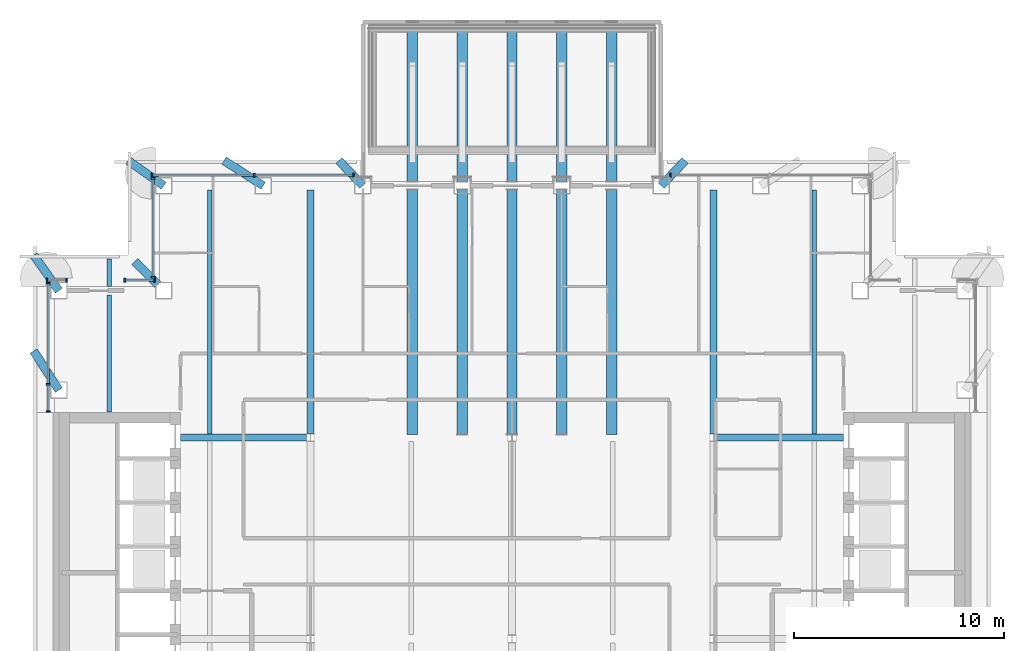
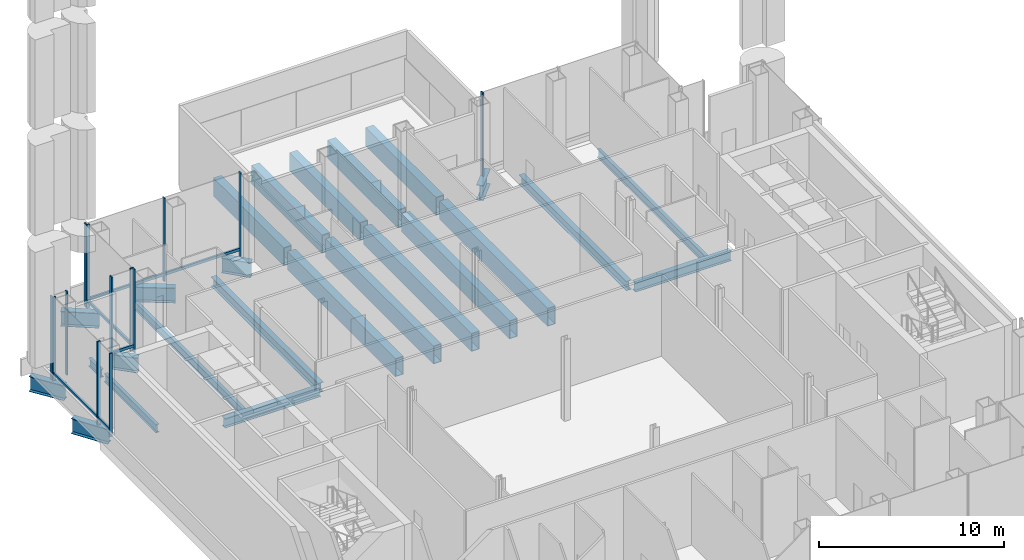
# One storey, part 5 of 22: 25 beams, 19 members, 6 elements without a shape of their own.
"""IFC4 building model written with IfcOpenShell, lengths in metres."""

from ifc_helpers import new_model, si_unit, direction, frame, origin, origin_2d, place, context, subcontext, project, spatial, rectangle, hollow_rectangle, i_section, extrude, material, material_profile, profile_set, type_object, element, aggregate, save


model = new_model("IFC4")

# Units and contexts
model_context = context("Model", 3, precision=1e-05, world=origin(), true_north=direction((0.0, 1.0)))
body_context = subcontext(model_context, "Body", "Model", "MODEL_VIEW")
ifc_project = project(units=[si_unit("LENGTHUNIT", "METRE"), si_unit("AREAUNIT", "SQUARE_METRE"), si_unit("VOLUMEUNIT", "CUBIC_METRE"), si_unit("PLANEANGLEUNIT", "RADIAN"), si_unit("MASSUNIT", "GRAM", prefix="KILO")], contexts=[model_context])

# Site, building, storey
site_placement = place(None, origin())
site = spatial("IfcSite", under=ifc_project, at=site_placement, CompositionType="ELEMENT")
building_placement = place(site_placement, origin())
building = spatial("IfcBuilding", under=site, at=building_placement, Name="Cobrizo Arcos Hotel Tower", CompositionType="ELEMENT")
storey_placement = place(building_placement, frame((0.0, 0.0, 142.5)))
storey = spatial("IfcBuildingStorey", under=building, at=storey_placement, Name="L36", CompositionType="ELEMENT", Elevation=142.5)

# Beams
ifc_material_1 = material(Name="Steel ASTM A572 Grade 50", Category="steel")
ifc_material_profile_1 = material_profile(ifc_material_1, hollow_rectangle(XDim=0.5, YDim=1.199951171875, WallThickness=0.034912109375, at=origin_2d()), Name="BOX 500X1200X35")
ifc_profile_set_1 = profile_set([ifc_material_profile_1], Name="Steel ASTM A572 Grade 50")
beam_type_1 = type_object("IfcBeamType", Name="BOX 500X1200X35 pool cantilever", PredefinedType="BEAM", material=ifc_profile_set_1)
beam_1_placement = place(storey_placement, frame((-4.742919921875, 9.75, -0.800048828125), z_axis=(0.0, 1.0, 0.0), x_axis=(-1.0, 0.0, 0.0)))
element("IfcBeam", 1, at=beam_1_placement, inside=storey, type_object=beam_type_1, Name="Pool back-span beam PB1, L36, no. 1", PredefinedType="BEAM", context=body_context, shape_type="SweptSolid", body=[
    extrude(hollow_rectangle(XDim=0.5, YDim=1.199951171875, WallThickness=0.034912109375, at=origin_2d()), origin(), (0.0, 0.0, 1.0), 11.6494140625),
])
beam_2_placement = place(storey_placement, frame((-4.742919921875, 21.800537109375, -0.800048828125), z_axis=(0.0, 1.0, 0.0), x_axis=(-1.0, 0.0, 0.0)))
element("IfcBeam", 2, at=beam_2_placement, inside=storey, type_object=beam_type_1, Name="Pool cantilever beam PB1, L36, no. 1", PredefinedType="BEAM", context=body_context, shape_type="SweptSolid", body=[
    extrude(hollow_rectangle(XDim=0.5, YDim=1.199951171875, WallThickness=0.034912109375, at=origin_2d()), origin(), (0.0, 0.0, 1.0), 7.599365234375),
])
beam_3_placement = place(storey_placement, frame((-2.371337890625, 9.75, -0.800048828125), z_axis=(0.0, 1.0, 0.0), x_axis=(-1.0, 0.0, 0.0)))
element("IfcBeam", 3, at=beam_3_placement, inside=storey, type_object=beam_type_1, Name="Pool back-span beam PB1, L36, no. 2", PredefinedType="BEAM", context=body_context, shape_type="SweptSolid", body=[
    extrude(hollow_rectangle(XDim=0.5, YDim=1.199951171875, WallThickness=0.034912109375, at=origin_2d()), origin(), (0.0, 0.0, 1.0), 11.6494140625),
])
beam_4_placement = place(storey_placement, frame((-2.371337890625, 21.800537109375, -0.800048828125), z_axis=(0.0, 1.0, 0.0), x_axis=(-1.0, 0.0, 0.0)))
element("IfcBeam", 4, at=beam_4_placement, inside=storey, type_object=beam_type_1, Name="Pool cantilever beam PB1, L36, no. 2", PredefinedType="BEAM", context=body_context, shape_type="SweptSolid", body=[
    extrude(hollow_rectangle(XDim=0.5, YDim=1.199951171875, WallThickness=0.034912109375, at=origin_2d()), origin(), (0.0, 0.0, 1.0), 7.599365234375),
])
beam_5_placement = place(storey_placement, frame((0.0, 9.75, -0.800048828125), z_axis=(0.0, 1.0, 0.0), x_axis=(-1.0, 0.0, 0.0)))
element("IfcBeam", 5, at=beam_5_placement, inside=storey, type_object=beam_type_1, Name="Pool back-span beam PB1, L36, no. 3", PredefinedType="BEAM", context=body_context, shape_type="SweptSolid", body=[
    extrude(hollow_rectangle(XDim=0.5, YDim=1.199951171875, WallThickness=0.034912109375, at=origin_2d()), origin(), (0.0, 0.0, 1.0), 11.6494140625),
])
beam_6_placement = place(storey_placement, frame((0.0, 21.800537109375, -0.800048828125), z_axis=(0.0, 1.0, 0.0), x_axis=(-1.0, 0.0, 0.0)))
element("IfcBeam", 6, at=beam_6_placement, inside=storey, type_object=beam_type_1, Name="Pool cantilever beam PB1, L36, no. 3", PredefinedType="BEAM", context=body_context, shape_type="SweptSolid", body=[
    extrude(hollow_rectangle(XDim=0.5, YDim=1.199951171875, WallThickness=0.034912109375, at=origin_2d()), origin(), (0.0, 0.0, 1.0), 7.599365234375),
])
beam_7_placement = place(storey_placement, frame((2.371337890625, 9.75, -0.800048828125), z_axis=(0.0, 1.0, 0.0), x_axis=(-1.0, 0.0, 0.0)))
element("IfcBeam", 7, at=beam_7_placement, inside=storey, type_object=beam_type_1, Name="Pool back-span beam PB1, L36, no. 4", PredefinedType="BEAM", context=body_context, shape_type="SweptSolid", body=[
    extrude(hollow_rectangle(XDim=0.5, YDim=1.199951171875, WallThickness=0.034912109375, at=origin_2d()), origin(), (0.0, 0.0, 1.0), 11.6494140625),
])
beam_8_placement = place(storey_placement, frame((2.371337890625, 21.800537109375, -0.800048828125), z_axis=(0.0, 1.0, 0.0), x_axis=(-1.0, 0.0, 0.0)))
element("IfcBeam", 8, at=beam_8_placement, inside=storey, type_object=beam_type_1, Name="Pool cantilever beam PB1, L36, no. 4", PredefinedType="BEAM", context=body_context, shape_type="SweptSolid", body=[
    extrude(hollow_rectangle(XDim=0.5, YDim=1.199951171875, WallThickness=0.034912109375, at=origin_2d()), origin(), (0.0, 0.0, 1.0), 7.599365234375),
])
beam_9_placement = place(storey_placement, frame((4.742919921875, 9.75, -0.800048828125), z_axis=(0.0, 1.0, 0.0), x_axis=(-1.0, 0.0, 0.0)))
element("IfcBeam", 9, at=beam_9_placement, inside=storey, type_object=beam_type_1, Name="Pool back-span beam PB1, L36, no. 5", PredefinedType="BEAM", context=body_context, shape_type="SweptSolid", body=[
    extrude(hollow_rectangle(XDim=0.5, YDim=1.199951171875, WallThickness=0.034912109375, at=origin_2d()), origin(), (0.0, 0.0, 1.0), 11.6494140625),
])
beam_10_placement = place(storey_placement, frame((4.742919921875, 21.800537109375, -0.800048828125), z_axis=(0.0, 1.0, 0.0), x_axis=(-1.0, 0.0, 0.0)))
element("IfcBeam", 10, at=beam_10_placement, inside=storey, type_object=beam_type_1, Name="Pool cantilever beam PB1, L36, no. 5", PredefinedType="BEAM", context=body_context, shape_type="SweptSolid", body=[
    extrude(hollow_rectangle(XDim=0.5, YDim=1.199951171875, WallThickness=0.034912109375, at=origin_2d()), origin(), (0.0, 0.0, 1.0), 7.599365234375),
])

# Curtain wall, member
ifc_material_2 = material(Name="Aluminium 6063-T6 anodised bronze", Category="aluminium")
curtain_wall_type = type_object("IfcCurtainWallType", Name="CW-E sky lobby glazing", PredefinedType="NOTDEFINED", material=ifc_material_2)
curtain_wall_1_placement = place(storey_placement, origin())
curtain_wall_1 = element("IfcCurtainWall", 11, at=curtain_wall_1_placement, inside=storey, type_object=curtain_wall_type, Name="CW-E L36 N face", PredefinedType="NOTDEFINED")
ifc_material_profile_2 = material_profile(ifc_material_2, rectangle(XDim=0.199951171875, YDim=0.080078125, at=origin_2d()), Name="CW-E mullion 200x80")
ifc_profile_set_2 = profile_set([ifc_material_profile_2], Name="Aluminium 6063-T6 anodised bronze")
member_type_1 = type_object("IfcMemberType", Name="CW-E mullion 200x80", PredefinedType="MULLION", material=ifc_profile_set_2)
member_1_placement = place(storey_placement, frame((7.553955078125, 22.10009765625, 0.0), z_axis=(0.0, 0.0, 1.0), x_axis=(0.0, 1.0, 0.0)))
member_1 = element("IfcMember", 12, at=member_1_placement, type_object=member_type_1, Name="CW-E mullion 3", PredefinedType="MULLION", context=body_context, shape_type="SweptSolid", body=[
    extrude(rectangle(XDim=0.199951171875, YDim=0.080078125, at=origin_2d()), origin(), (0.0, 0.0, 1.0), 5.5),
])
aggregate(curtain_wall_1, [member_1])

# Curtain wall, members
curtain_wall_2_placement = place(storey_placement, origin())
curtain_wall_2 = element("IfcCurtainWall", 13, at=curtain_wall_2_placement, inside=storey, type_object=curtain_wall_type, Name="CW-E L36 N face", PredefinedType="NOTDEFINED")
member_2_placement = place(storey_placement, frame((-7.553955078125, 22.10009765625, 0.0), z_axis=(0.0, 0.0, 1.0), x_axis=(0.0, 1.0, 0.0)))
member_2 = element("IfcMember", 14, at=member_2_placement, type_object=member_type_1, Name="CW-E mullion 1", PredefinedType="MULLION", context=body_context, shape_type="SweptSolid", body=[
    extrude(rectangle(XDim=0.199951171875, YDim=0.080078125, at=origin_2d()), origin(), (0.0, 0.0, 1.0), 5.5),
])
member_3_placement = place(storey_placement, frame((-12.28564453125, 22.10009765625, 0.0), z_axis=(0.0, 0.0, 1.0), x_axis=(0.0, 1.0, 0.0)))
member_3 = element("IfcMember", 15, at=member_3_placement, type_object=member_type_1, Name="CW-E mullion 2", PredefinedType="MULLION", context=body_context, shape_type="SweptSolid", body=[
    extrude(rectangle(XDim=0.199951171875, YDim=0.080078125, at=origin_2d()), origin(), (0.0, 0.0, 1.0), 5.5),
])
member_4_placement = place(storey_placement, frame((-17.159912109375, 22.10009765625, 0.0), z_axis=(0.0, 0.0, 1.0), x_axis=(0.0, 1.0, 0.0)))
member_4 = element("IfcMember", 16, at=member_4_placement, type_object=member_type_1, Name="CW-E mullion 3", PredefinedType="MULLION", context=body_context, shape_type="SweptSolid", body=[
    extrude(rectangle(XDim=0.199951171875, YDim=0.080078125, at=origin_2d()), origin(), (0.0, 0.0, 1.0), 5.5),
])

curtain_wall_3_placement = place(storey_placement, origin())
curtain_wall_3 = element("IfcCurtainWall", 17, at=curtain_wall_3_placement, inside=storey, type_object=curtain_wall_type, Name="CW-E L36 W face", PredefinedType="NOTDEFINED")
member_5_placement = place(storey_placement, frame((-17.10009765625, 21.9599609375, 0.0), z_axis=(0.0, 0.0, 1.0), x_axis=(-1.0, 0.0, 0.0)))
member_5 = element("IfcMember", 18, at=member_5_placement, type_object=member_type_1, Name="CW-E mullion 1", PredefinedType="MULLION", context=body_context, shape_type="SweptSolid", body=[
    extrude(rectangle(XDim=0.199951171875, YDim=0.080078125, at=origin_2d()), origin(), (0.0, 0.0, 1.0), 5.5),
])
member_6_placement = place(storey_placement, frame((-17.10009765625, 17.239990234375, 0.0), z_axis=(0.0, 0.0, 1.0), x_axis=(-1.0, 0.0, 0.0)))
member_6 = element("IfcMember", 19, at=member_6_placement, type_object=member_type_1, Name="CW-E mullion 2", PredefinedType="MULLION", context=body_context, shape_type="SweptSolid", body=[
    extrude(rectangle(XDim=0.199951171875, YDim=0.080078125, at=origin_2d()), origin(), (0.0, 0.0, 1.0), 5.5),
])

curtain_wall_4_placement = place(storey_placement, origin())
curtain_wall_4 = element("IfcCurtainWall", 20, at=curtain_wall_4_placement, inside=storey, type_object=curtain_wall_type, Name="CW-E L36 N face", PredefinedType="NOTDEFINED")
member_7_placement = place(storey_placement, frame((-17.0400390625, 17.10009765625, 0.0), z_axis=(0.0, 0.0, 1.0), x_axis=(0.0, 1.0, 0.0)))
member_7 = element("IfcMember", 21, at=member_7_placement, type_object=member_type_1, Name="CW-E mullion 1", PredefinedType="MULLION", context=body_context, shape_type="SweptSolid", body=[
    extrude(rectangle(XDim=0.199951171875, YDim=0.080078125, at=origin_2d()), origin(), (0.0, 0.0, 1.0), 5.5),
])
member_8_placement = place(storey_placement, frame((-18.4599609375, 17.10009765625, 0.0), z_axis=(0.0, 0.0, 1.0), x_axis=(0.0, 1.0, 0.0)))
member_8 = element("IfcMember", 22, at=member_8_placement, type_object=member_type_1, Name="CW-E mullion 2", PredefinedType="MULLION", context=body_context, shape_type="SweptSolid", body=[
    extrude(rectangle(XDim=0.199951171875, YDim=0.080078125, at=origin_2d()), origin(), (0.0, 0.0, 1.0), 5.5),
])

curtain_wall_5_placement = place(storey_placement, origin())
curtain_wall_5 = element("IfcCurtainWall", 23, at=curtain_wall_5_placement, inside=storey, type_object=curtain_wall_type, Name="CW-E L36 N face", PredefinedType="NOTDEFINED")
member_9_placement = place(storey_placement, frame((-21.239990234375, 17.10009765625, 0.0), z_axis=(0.0, 0.0, 1.0), x_axis=(0.0, 1.0, 0.0)))
member_9 = element("IfcMember", 24, at=member_9_placement, type_object=member_type_1, Name="CW-E mullion 1", PredefinedType="MULLION", context=body_context, shape_type="SweptSolid", body=[
    extrude(rectangle(XDim=0.199951171875, YDim=0.080078125, at=origin_2d()), origin(), (0.0, 0.0, 1.0), 5.5),
])
member_10_placement = place(storey_placement, frame((-22.159912109375, 17.10009765625, 0.0), z_axis=(0.0, 0.0, 1.0), x_axis=(0.0, 1.0, 0.0)))
member_10 = element("IfcMember", 25, at=member_10_placement, type_object=member_type_1, Name="CW-E mullion 2", PredefinedType="MULLION", context=body_context, shape_type="SweptSolid", body=[
    extrude(rectangle(XDim=0.199951171875, YDim=0.080078125, at=origin_2d()), origin(), (0.0, 0.0, 1.0), 5.5),
])
aggregate(curtain_wall_5, [member_9, member_10])

curtain_wall_6_placement = place(storey_placement, origin())
curtain_wall_6 = element("IfcCurtainWall", 26, at=curtain_wall_6_placement, inside=storey, type_object=curtain_wall_type, Name="CW-E L36 W face", PredefinedType="NOTDEFINED")
member_11_placement = place(storey_placement, frame((-22.10009765625, 16.9599609375, 0.0), z_axis=(0.0, 0.0, 1.0), x_axis=(-1.0, 0.0, 0.0)))
member_11 = element("IfcMember", 27, at=member_11_placement, type_object=member_type_1, Name="CW-E mullion 1", PredefinedType="MULLION", context=body_context, shape_type="SweptSolid", body=[
    extrude(rectangle(XDim=0.199951171875, YDim=0.080078125, at=origin_2d()), origin(), (0.0, 0.0, 1.0), 5.5),
])
member_12_placement = place(storey_placement, frame((-22.10009765625, 12.142822265625, 0.0), z_axis=(0.0, 0.0, 1.0), x_axis=(-1.0, 0.0, 0.0)))
member_12 = element("IfcMember", 28, at=member_12_placement, type_object=member_type_1, Name="CW-E mullion 2", PredefinedType="MULLION", context=body_context, shape_type="SweptSolid", body=[
    extrude(rectangle(XDim=0.199951171875, YDim=0.080078125, at=origin_2d()), origin(), (0.0, 0.0, 1.0), 5.5),
])
member_13_placement = place(storey_placement, frame((-22.10009765625, 10.840087890625, 0.0), z_axis=(0.0, 0.0, 1.0), x_axis=(-1.0, 0.0, 0.0)))
member_13 = element("IfcMember", 29, at=member_13_placement, type_object=member_type_1, Name="CW-E mullion 3", PredefinedType="MULLION", context=body_context, shape_type="SweptSolid", body=[
    extrude(rectangle(XDim=0.199951171875, YDim=0.080078125, at=origin_2d()), origin(), (0.0, 0.0, 1.0), 5.5),
])

# Member
ifc_material_profile_3 = material_profile(ifc_material_2, rectangle(XDim=0.1201171875, YDim=0.179931640625, at=origin_2d()), Name="CW-E transom 180x120")
ifc_profile_set_3 = profile_set([ifc_material_profile_3], Name="Aluminium 6063-T6 anodised bronze")
member_type_2 = type_object("IfcMemberType", Name="CW-E transom 180x120", PredefinedType="USERDEFINED", material=ifc_profile_set_3)
member_14_placement = place(storey_placement, frame((-7.593994140625, 22.10009765625, 0.449951171875), z_axis=(-1.0, 0.0, 0.0), x_axis=(0.0, -1.0, 0.0)))
member_14 = element("IfcMember", 30, at=member_14_placement, type_object=member_type_2, Name="CW-E transom 1325", ObjectType="TRANSOM", PredefinedType="USERDEFINED", context=body_context, shape_type="SweptSolid", body=[
    extrude(rectangle(XDim=0.1201171875, YDim=0.179931640625, at=origin_2d()), origin(), (0.0, 0.0, 1.0), 4.651611328125),
])

member_15_placement = place(storey_placement, frame((-12.32568359375, 22.10009765625, 0.449951171875), z_axis=(-1.0, 0.0, 0.0), x_axis=(0.0, -1.0, 0.0)))
member_15 = element("IfcMember", 31, at=member_15_placement, type_object=member_type_2, Name="CW-E transom 1326", ObjectType="TRANSOM", PredefinedType="USERDEFINED", context=body_context, shape_type="SweptSolid", body=[
    extrude(rectangle(XDim=0.1201171875, YDim=0.179931640625, at=origin_2d()), origin(), (0.0, 0.0, 1.0), 4.79443359375),
])

aggregate(curtain_wall_2, [member_2, member_3, member_4, member_14, member_15])

member_16_placement = place(storey_placement, frame((-17.10009765625, 21.919921875, 0.449951171875), z_axis=(0.0, -1.0, 0.0), x_axis=(1.0, 0.0, 0.0)))
member_16 = element("IfcMember", 32, at=member_16_placement, type_object=member_type_2, Name="CW-E transom 1327", ObjectType="TRANSOM", PredefinedType="USERDEFINED", context=body_context, shape_type="SweptSolid", body=[
    extrude(rectangle(XDim=0.1201171875, YDim=0.179931640625, at=origin_2d()), origin(), (0.0, 0.0, 1.0), 4.639892578125),
])

aggregate(curtain_wall_3, [member_5, member_6, member_16])

member_17_placement = place(storey_placement, frame((-17.080078125, 17.10009765625, 0.449951171875), z_axis=(-1.0, 0.0, 0.0), x_axis=(0.0, -1.0, 0.0)))
member_17 = element("IfcMember", 33, at=member_17_placement, type_object=member_type_2, Name="CW-E transom 1328", ObjectType="TRANSOM", PredefinedType="USERDEFINED", context=body_context, shape_type="SweptSolid", body=[
    extrude(rectangle(XDim=0.1201171875, YDim=0.179931640625, at=origin_2d()), origin(), (0.0, 0.0, 1.0), 1.33984375),
])

aggregate(curtain_wall_4, [member_7, member_8, member_17])

member_18_placement = place(storey_placement, frame((-22.10009765625, 16.919921875, 0.449951171875), z_axis=(0.0, -1.0, 0.0), x_axis=(1.0, 0.0, 0.0)))
member_18 = element("IfcMember", 34, at=member_18_placement, type_object=member_type_2, Name="CW-E transom 1330", ObjectType="TRANSOM", PredefinedType="USERDEFINED", context=body_context, shape_type="SweptSolid", body=[
    extrude(rectangle(XDim=0.1201171875, YDim=0.179931640625, at=origin_2d()), origin(), (0.0, 0.0, 1.0), 4.737060546875),
])

member_19_placement = place(storey_placement, frame((-22.10009765625, 12.102783203125, 0.449951171875), z_axis=(0.0, -1.0, 0.0), x_axis=(1.0, 0.0, 0.0)))
member_19 = element("IfcMember", 35, at=member_19_placement, type_object=member_type_2, Name="CW-E transom 1331", ObjectType="TRANSOM", PredefinedType="USERDEFINED", context=body_context, shape_type="SweptSolid", body=[
    extrude(rectangle(XDim=0.1201171875, YDim=0.179931640625, at=origin_2d()), origin(), (0.0, 0.0, 1.0), 1.222900390625),
])

aggregate(curtain_wall_6, [member_11, member_12, member_13, member_18, member_19])

# Beams
ifc_material_3 = material(Name="Steel ASTM A992 Grade 50", Category="steel")
ifc_material_profile_4 = material_profile(ifc_material_3, i_section(OverallWidth=0.209228515625, OverallDepth=0.533447265625, WebThickness=0.01025390625, FlangeThickness=0.015625, at=origin_2d()), Name="W21X62")
ifc_profile_set_4 = profile_set([ifc_material_profile_4], Name="Steel ASTM A992 Grade 50")
beam_type_2 = type_object("IfcBeamType", Name="W21X62 joist", PredefinedType="JOIST", material=ifc_profile_set_4)
beam_11_placement = place(storey_placement, frame((-19.199951171875, 10.81005859375, -0.466796875), z_axis=(0.0, 1.0, 0.0), x_axis=(-1.0, 0.0, 0.0)))
element("IfcBeam", 36, at=beam_11_placement, inside=storey, type_object=beam_type_2, Name="Floor joist J1, L36, no. 003", PredefinedType="JOIST", context=body_context, shape_type="SweptSolid", body=[
    extrude(i_section(OverallWidth=0.209228515625, OverallDepth=0.533447265625, WebThickness=0.01025390625, FlangeThickness=0.015625, at=origin_2d()), origin(), (0.0, 0.0, 1.0), 5.58935546875),
])
beam_12_placement = place(storey_placement, frame((-19.199951171875, 16.800537109375, -0.466796875), z_axis=(0.0, 1.0, 0.0), x_axis=(-1.0, 0.0, 0.0)))
element("IfcBeam", 37, at=beam_12_placement, inside=storey, type_object=beam_type_2, Name="Floor joist J1, L36, no. 004", PredefinedType="JOIST", context=body_context, shape_type="SweptSolid", body=[
    extrude(i_section(OverallWidth=0.209228515625, OverallDepth=0.533447265625, WebThickness=0.01025390625, FlangeThickness=0.015625, at=origin_2d()), origin(), (0.0, 0.0, 1.0), 1.299072265625),
])
for number, where, z_axis, x_axis, name in (
    (38, (-14.39990234375, 9.763916015625, -0.466796875), (0.0, 1.0, 0.0), (-1.0, 0.0, 0.0), "Floor joist J1, L36, no. 008"),
    (39, (14.39990234375, 9.763916015625, -0.466796875), (0.0, 1.0, 0.0), (-1.0, 0.0, 0.0), "Floor joist J1, L36, no. 018"),
):
    element("IfcBeam", number, at=place(storey_placement, frame(where, z_axis=z_axis, x_axis=x_axis)), inside=storey, type_object=beam_type_2, Name=name, PredefinedType="JOIST", context=body_context, shape_type="SweptSolid", body=[
        extrude(i_section(OverallWidth=0.209228515625, OverallDepth=0.533447265625, WebThickness=0.01025390625, FlangeThickness=0.015625, at=origin_2d()), origin(), (0.0, 0.0, 1.0), 11.635498046875),
    ])
ifc_material_profile_5 = material_profile(ifc_material_3, i_section(OverallWidth=0.32763671875, OverallDepth=0.622314453125, WebThickness=0.015380859375, FlangeThickness=0.0244140625, at=origin_2d()), Name="W24X131")
ifc_profile_set_5 = profile_set([ifc_material_profile_5], Name="Steel ASTM A992 Grade 50")
beam_type_3 = type_object("IfcBeamType", Name="W24X131 girder", PredefinedType="BEAM", material=ifc_profile_set_5)
for number, where, z_axis, x_axis, name in (
    (40, (-15.7900390625, 9.60009765625, -0.510986328125), (1.0, 0.0, 0.0), (0.0, 1.0, 0.0), "Floor girder G1, L36, no. 005"),
    (41, (9.79931640625, 9.60009765625, -0.510986328125), (1.0, 0.0, 0.0), (0.0, 1.0, 0.0), "Floor girder G1, L36, no. 006"),
):
    element("IfcBeam", number, at=place(storey_placement, frame(where, z_axis=z_axis, x_axis=x_axis)), inside=storey, type_object=beam_type_3, Name=name, PredefinedType="BEAM", context=body_context, shape_type="SweptSolid", body=[
        extrude(i_section(OverallWidth=0.32763671875, OverallDepth=0.622314453125, WebThickness=0.015380859375, FlangeThickness=0.0244140625, at=origin_2d()), origin(), (0.0, 0.0, 1.0), 5.99072265625),
    ])
for number, where, z_axis, x_axis, name in (
    (42, (-9.60009765625, 9.800537109375, -0.510986328125), (0.0, 1.0, 0.0), (-1.0, 0.0, 0.0), "Floor girder G1, L36, no. 010"),
    (43, (9.60009765625, 9.800537109375, -0.510986328125), (0.0, 1.0, 0.0), (-1.0, 0.0, 0.0), "Floor girder G1, L36, no. 017"),
):
    element("IfcBeam", number, at=place(storey_placement, frame(where, z_axis=z_axis, x_axis=x_axis)), inside=storey, type_object=beam_type_3, Name=name, PredefinedType="BEAM", context=body_context, shape_type="SweptSolid", body=[
        extrude(i_section(OverallWidth=0.32763671875, OverallDepth=0.622314453125, WebThickness=0.015380859375, FlangeThickness=0.0244140625, at=origin_2d()), origin(), (0.0, 0.0, 1.0), 11.598876953125),
    ])
ifc_material_profile_6 = material_profile(ifc_material_3, i_section(OverallWidth=0.4013671875, OverallDepth=0.990478515625, WebThickness=0.0166015625, FlangeThickness=0.025390625, at=origin_2d()), Name="W40X215")
ifc_profile_set_6 = profile_set([ifc_material_profile_6], Name="Steel ASTM A992 Grade 50")
beam_type_4 = type_object("IfcBeamType", Name="W40X215 transfer girder", PredefinedType="BEAM", material=ifc_profile_set_6)
beam_13_placement = place(storey_placement, frame((-18.300048828125, 22.800048828125, -0.6953125), z_axis=(0.816971114901, -0.576678591087, 0.0), x_axis=(0.576678591087, 0.816971114901, 0.0)))
element("IfcBeam", 44, at=beam_13_placement, inside=storey, type_object=beam_type_4, Name="Setback transfer girder TG1, L36, no. 001", PredefinedType="BEAM", context=body_context, shape_type="SweptSolid", body=[
    extrude(i_section(OverallWidth=0.4013671875, OverallDepth=0.990478515625, WebThickness=0.0166015625, FlangeThickness=0.025390625, at=origin_2d()), origin(), (0.0, 0.0, 1.0), 2.080810546875),
])
beam_14_placement = place(storey_placement, frame((-13.72509765625, 22.800048828125, -0.6953125), z_axis=(0.841385623692, -0.540435224836, 0.0), x_axis=(0.540435224836, 0.841385623692, 0.0)))
element("IfcBeam", 45, at=beam_14_placement, inside=storey, type_object=beam_type_4, Name="Setback transfer girder TG1, L36, no. 003", PredefinedType="BEAM", context=body_context, shape_type="SweptSolid", body=[
    extrude(i_section(OverallWidth=0.4013671875, OverallDepth=0.990478515625, WebThickness=0.0166015625, FlangeThickness=0.025390625, at=origin_2d()), origin(), (0.0, 0.0, 1.0), 2.220458984375),
])
for number, where, z_axis, x_axis, name in (
    (46, (-8.25, 22.800048828125, -0.6953125), (0.68748641725, -0.72619723636, 0.0), (0.72619723636, 0.68748641725, 0.0), "Setback transfer girder TG1, L36, no. 005"),
    (47, (8.25, 22.800048828125, -0.6953125), (-0.68748641725, -0.72619723636, 0.0), (0.72619723636, -0.68748641725, 0.0), "Setback transfer girder TG1, L36, no. 007"),
):
    element("IfcBeam", number, at=place(storey_placement, frame(where, z_axis=z_axis, x_axis=x_axis)), inside=storey, type_object=beam_type_4, Name=name, PredefinedType="BEAM", context=body_context, shape_type="SweptSolid", body=[
        extrude(i_section(OverallWidth=0.4013671875, OverallDepth=0.990478515625, WebThickness=0.0166015625, FlangeThickness=0.025390625, at=origin_2d()), origin(), (0.0, 0.0, 1.0), 1.65234375),
    ])
beam_15_placement = place(storey_placement, frame((-22.800048828125, 13.72509765625, -0.6953125), z_axis=(0.540435224836, -0.841385623692, 0.0), x_axis=(0.841385623692, 0.540435224836, 0.0)))
element("IfcBeam", 48, at=beam_15_placement, inside=storey, type_object=beam_type_4, Name="Setback transfer girder TG1, L36, no. 018", PredefinedType="BEAM", context=body_context, shape_type="SweptSolid", body=[
    extrude(i_section(OverallWidth=0.4013671875, OverallDepth=0.990478515625, WebThickness=0.0166015625, FlangeThickness=0.025390625, at=origin_2d()), origin(), (0.0, 0.0, 1.0), 2.220458984375),
])
beam_16_placement = place(storey_placement, frame((-22.800048828125, 18.300048828125, -0.6953125), z_axis=(0.576678591087, -0.816971114901, 0.0), x_axis=(0.816971114901, 0.576678591087, 0.0)))
element("IfcBeam", 49, at=beam_16_placement, inside=storey, type_object=beam_type_4, Name="Setback transfer girder TG1, L36, no. 020", PredefinedType="BEAM", context=body_context, shape_type="SweptSolid", body=[
    extrude(i_section(OverallWidth=0.4013671875, OverallDepth=0.990478515625, WebThickness=0.0166015625, FlangeThickness=0.025390625, at=origin_2d()), origin(), (0.0, 0.0, 1.0), 2.080810546875),
])
beam_17_placement = place(storey_placement, frame((-17.981689453125, 17.981689453125, -0.6953125), z_axis=(0.707106781187, -0.707106781187, 0.0), x_axis=(0.707106781187, 0.707106781187, 0.0)))
element("IfcBeam", 50, at=beam_17_placement, inside=storey, type_object=beam_type_4, Name="Setback transfer girder TG1, L36, no. 022", PredefinedType="BEAM", context=body_context, shape_type="SweptSolid", body=[
    extrude(i_section(OverallWidth=0.4013671875, OverallDepth=0.990478515625, WebThickness=0.0166015625, FlangeThickness=0.025390625, at=origin_2d()), origin(), (0.0, 0.0, 1.0), 1.553955078125),
])

save(model, "model.ifc")
